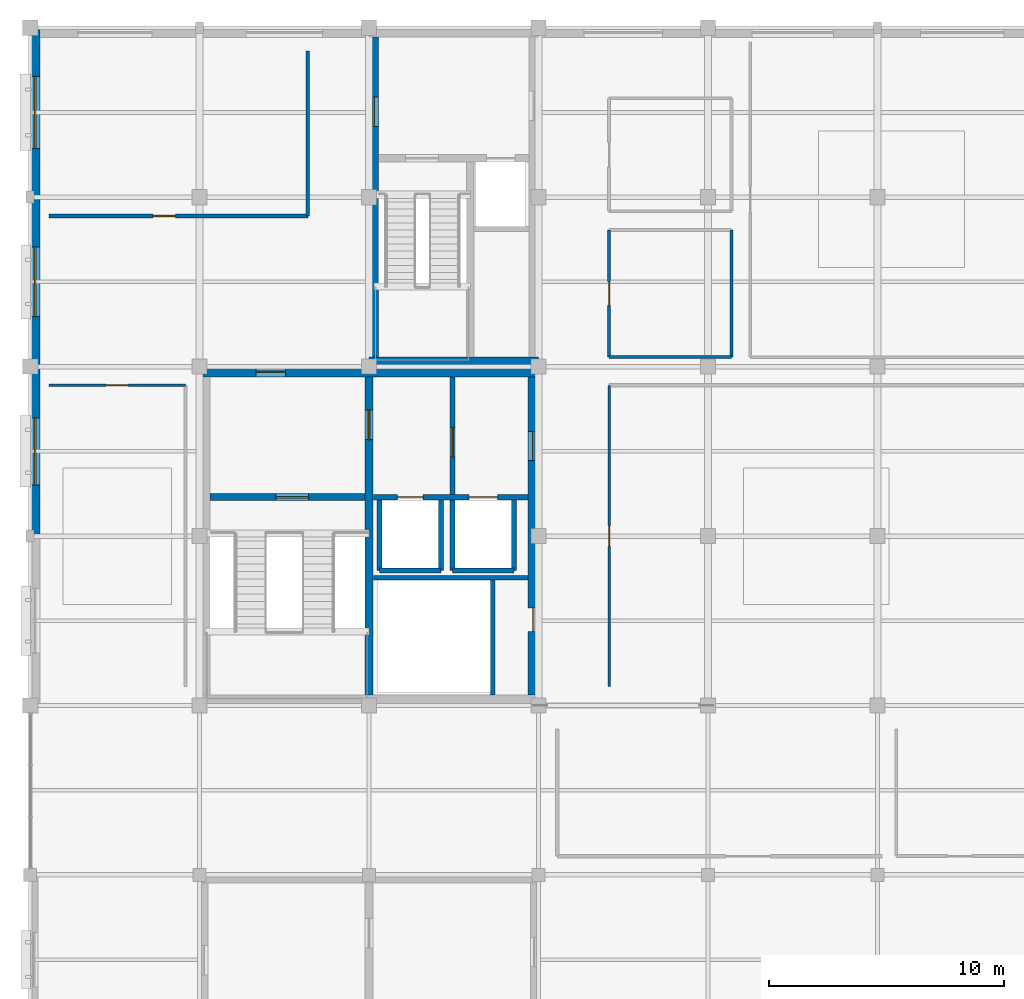
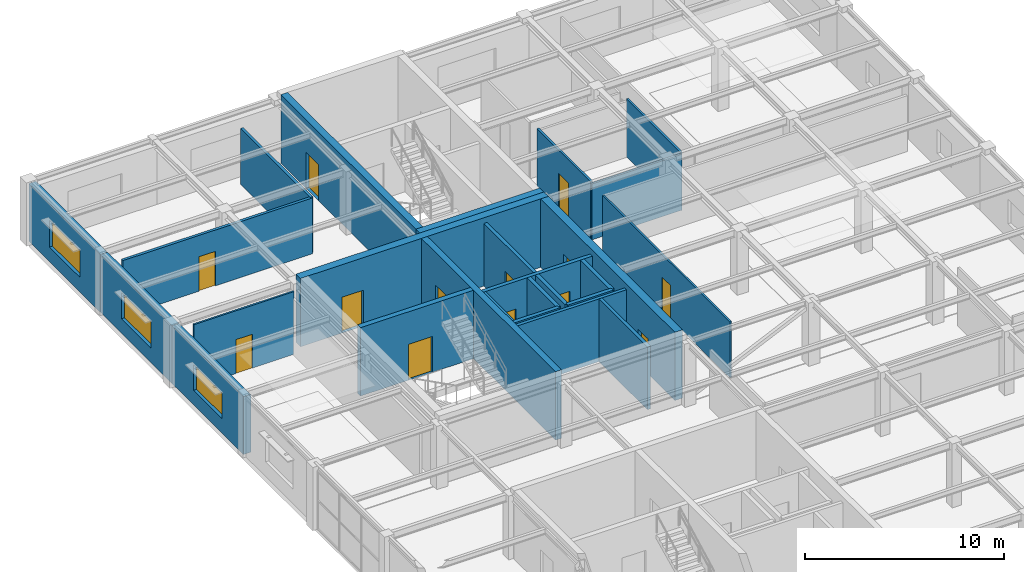
# One storey, part 66 of 83: 26 walls, 13 doors, 3 windows, 16 openings.
"""IFC4 building model written with IfcOpenShell, lengths in metres."""

from ifc_helpers import new_model, si_unit, direction, frame, frame_2d, origin, place, context, subcontext, project, spatial, rectangle, extrude, material, layer, layer_set, type_object, element, fill, save


model = new_model("IFC4")

# Units and contexts
model_context = context("Model", 3, precision=1e-05, world=origin(), true_north=direction((0.0, 1.0)))
body_context = subcontext(model_context, "Body", "Model", "MODEL_VIEW")
ifc_project = project(units=[si_unit("LENGTHUNIT", "METRE"), si_unit("AREAUNIT", "SQUARE_METRE"), si_unit("VOLUMEUNIT", "CUBIC_METRE"), si_unit("PLANEANGLEUNIT", "RADIAN"), si_unit("MASSUNIT", "GRAM", prefix="KILO")], contexts=[model_context])

# Site, building, storey
site_placement = place(None, origin())
site = spatial("IfcSite", under=ifc_project, at=site_placement, CompositionType="ELEMENT")
building_placement = place(site_placement, origin())
building = spatial("IfcBuilding", under=site, at=building_placement, Name="Leyfeld Transit Interchange", CompositionType="ELEMENT")
storey_placement = place(building_placement, frame((0.0, 0.0, 5.39990234375)))
storey = spatial("IfcBuildingStorey", under=building, at=storey_placement, Name="L01", CompositionType="ELEMENT", Elevation=5.39990234375)

# Wall, opening, window
ifc_material_1 = material(Name="Clinker brick masonry - Insulated", Category="masonry")
ifc_layer_1 = layer(ifc_material_1, 0.419921875, Name="Clinker brick masonry - Insulated")
ifc_layer_set_1 = layer_set([ifc_layer_1], Name="Clinker brick masonry - Insulated")
wall_type_1 = type_object("IfcWallType", Name="WL-EXT-BRK-420", PredefinedType="SOLIDWALL", material=ifc_layer_set_1)
wall_1_placement = place(storey_placement, frame((0.2099609375, 100.800048828125, 0.0), z_axis=(0.0, 0.0, 1.0), x_axis=(0.0, 1.0, 0.0)))
wall_1 = element("IfcWall", 1, at=wall_1_placement, inside=storey, type_object=wall_type_1, Name="External Facade Wall EW-L01-043", PredefinedType="SOLIDWALL", context=body_context, shape_type="SweptSolid", body=[
    extrude(rectangle(XDim=7.199951171875, YDim=0.419921875, at=frame_2d((3.60009765625, 0.0))), origin(), (0.0, 0.0, 1.0), 3.550048828125),
])
opening_1_placement = place(wall_1_placement, frame((2.175048828125, 0.0, 0.89990234375)))
opening_1 = element("IfcOpeningElement", 2, at=opening_1_placement, cuts=wall_1, Name="Opening WU-17", PredefinedType="OPENING", context=body_context, shape_type="SweptSolid", body=[
    extrude(rectangle(XDim=2.85009765625, YDim=1.550048828125, at=frame_2d((1.425048828125, 0.77490234375))), frame((0.0, 0.219970703125, 0.0), z_axis=(0.0, -1.0, 0.0), x_axis=(1.0, 0.0, 0.0)), (0.0, 0.0, 1.0), 0.43994140625),
])
ifc_material_2 = material(Name="Triple low-E insulated glazing", Category="glass")
window_type_1 = type_object("IfcWindowType", Name="WIN-UNQ-17", PartitioningType="SINGLE_PANEL", PredefinedType="WINDOW", material=ifc_material_2)
window_1_placement = place(opening_1_placement, origin())
window_1 = element("IfcWindow", 3, at=window_1_placement, inside=storey, type_object=window_type_1, Name="Facade Window L01 017", OverallHeight=1.550048828125, OverallWidth=2.85009765625, PartitioningType="SINGLE_PANEL", PredefinedType="WINDOW", context=body_context, shape_type="SweptSolid", body=[
    extrude(rectangle(XDim=2.85009765625, YDim=1.550048828125, at=frame_2d((1.425048828125, 0.77490234375))), frame((0.0, 0.030029296875, 0.0), z_axis=(0.0, -1.0, 0.0), x_axis=(1.0, 0.0, 0.0)), (0.0, 0.0, 1.0), 0.06005859375),
])
fill(opening_1, window_1)

wall_2_placement = place(storey_placement, frame((0.2099609375, 108.0, 0.0), z_axis=(0.0, 0.0, 1.0), x_axis=(0.0, 1.0, 0.0)))
wall_2 = element("IfcWall", 4, at=wall_2_placement, inside=storey, type_object=wall_type_1, Name="External Facade Wall EW-L01-044", PredefinedType="SOLIDWALL", context=body_context, shape_type="SweptSolid", body=[
    extrude(rectangle(XDim=7.199951171875, YDim=0.419921875, at=frame_2d((3.60009765625, 0.0))), origin(), (0.0, 0.0, 1.0), 3.550048828125),
])
opening_2_placement = place(wall_2_placement, frame((2.125, 0.0, 0.89990234375)))
opening_2 = element("IfcOpeningElement", 5, at=opening_2_placement, cuts=wall_2, Name="Opening WU-18", PredefinedType="OPENING", context=body_context, shape_type="SweptSolid", body=[
    extrude(rectangle(XDim=2.949951171875, YDim=1.60009765625, at=frame_2d((1.47509765625, 0.800048828125))), frame((0.0, 0.219970703125, 0.0), z_axis=(0.0, -1.0, 0.0), x_axis=(1.0, 0.0, 0.0)), (0.0, 0.0, 1.0), 0.43994140625),
])
window_type_2 = type_object("IfcWindowType", Name="WIN-UNQ-18", PartitioningType="SINGLE_PANEL", PredefinedType="WINDOW", material=ifc_material_2)
window_2_placement = place(opening_2_placement, origin())
window_2 = element("IfcWindow", 6, at=window_2_placement, inside=storey, type_object=window_type_2, Name="Facade Window L01 018", OverallHeight=1.60009765625, OverallWidth=2.949951171875, PartitioningType="SINGLE_PANEL", PredefinedType="WINDOW", context=body_context, shape_type="SweptSolid", body=[
    extrude(rectangle(XDim=2.949951171875, YDim=1.60009765625, at=frame_2d((1.47509765625, 0.800048828125))), frame((0.0, 0.030029296875, 0.0), z_axis=(0.0, -1.0, 0.0), x_axis=(1.0, 0.0, 0.0)), (0.0, 0.0, 1.0), 0.06005859375),
])
fill(opening_2, window_2)

wall_3_placement = place(storey_placement, frame((0.2099609375, 115.199951171875, 0.0), z_axis=(0.0, 0.0, 1.0), x_axis=(0.0, 1.0, 0.0)))
wall_3 = element("IfcWall", 7, at=wall_3_placement, inside=storey, type_object=wall_type_1, Name="External Facade Wall EW-L01-045", PredefinedType="SOLIDWALL", context=body_context, shape_type="SweptSolid", body=[
    extrude(rectangle(XDim=7.199951171875, YDim=0.419921875, at=frame_2d((3.60009765625, 0.0))), origin(), (0.0, 0.0, 1.0), 3.550048828125),
])
opening_3_placement = place(wall_3_placement, frame((2.074951171875, 0.0, 0.89990234375)))
opening_3 = element("IfcOpeningElement", 8, at=opening_3_placement, cuts=wall_3, Name="Opening WU-19", PredefinedType="OPENING", context=body_context, shape_type="SweptSolid", body=[
    extrude(rectangle(XDim=3.050048828125, YDim=1.64990234375, at=frame_2d((1.52490234375, 0.824951171875))), frame((0.0, 0.219970703125, 0.0), z_axis=(0.0, -1.0, 0.0), x_axis=(1.0, 0.0, 0.0)), (0.0, 0.0, 1.0), 0.43994140625),
])
window_type_3 = type_object("IfcWindowType", Name="WIN-UNQ-19", PartitioningType="SINGLE_PANEL", PredefinedType="WINDOW", material=ifc_material_2)
window_3_placement = place(opening_3_placement, origin())
window_3 = element("IfcWindow", 9, at=window_3_placement, inside=storey, type_object=window_type_3, Name="Facade Window L01 019", OverallHeight=1.64990234375, OverallWidth=3.050048828125, PartitioningType="SINGLE_PANEL", PredefinedType="WINDOW", context=body_context, shape_type="SweptSolid", body=[
    extrude(rectangle(XDim=3.050048828125, YDim=1.64990234375, at=frame_2d((1.52490234375, 0.824951171875))), frame((0.0, 0.030029296875, 0.0), z_axis=(0.0, -1.0, 0.0), x_axis=(1.0, 0.0, 0.0)), (0.0, 0.0, 1.0), 0.06005859375),
])
fill(opening_3, window_3)

# Wall, opening, door
ifc_material_3 = material(Name="Gypsum plasterboard acoustic stud", Category="gypsum")
ifc_layer_2 = layer(ifc_material_3, 0.159912109375, Name="Gypsum plasterboard acoustic stud")
ifc_layer_set_2 = layer_set([ifc_layer_2], Name="Gypsum plasterboard acoustic stud")
wall_type_2 = type_object("IfcWallType", Name="WL-INT-ACU-160", PredefinedType="PARTITIONING", material=ifc_layer_set_2)
wall_4_placement = place(storey_placement, frame((11.800048828125, 114.39990234375, 0.0), z_axis=(0.0, 0.0, 1.0), x_axis=(-1.0, 0.0, 0.0)))
wall_4 = element("IfcWall", 10, at=wall_4_placement, inside=storey, type_object=wall_type_2, Name="Interior Partition L01-TRN-01 S", PredefinedType="PARTITIONING", context=body_context, shape_type="SweptSolid", body=[
    extrude(rectangle(XDim=11.0, YDim=0.159912109375, at=frame_2d((5.5, 0.0))), origin(), (0.0, 0.0, 1.0), 3.43017578125),
])
opening_4_placement = place(wall_4_placement, frame((5.6201171875, 0.0, 0.0)))
opening_4 = element("IfcOpeningElement", 11, at=opening_4_placement, cuts=wall_4, Name="Opening DU-03", PredefinedType="OPENING", context=body_context, shape_type="SweptSolid", body=[
    extrude(rectangle(XDim=0.9599609375, YDim=2.1201171875, at=frame_2d((0.47998046875, 1.06005859375))), frame((0.0, 0.08984375, 0.0), z_axis=(0.0, -1.0, 0.0), x_axis=(1.0, 0.0, 0.0)), (0.0, 0.0, 1.0), 0.179931640625),
])
ifc_material_4 = material(Name="Austrian larch glulam GL28h", Category="wood")
door_type_1 = type_object("IfcDoorType", Name="DR-UNQ-03", OperationType="NOTDEFINED", PredefinedType="DOOR", material=ifc_material_4)
door_1_placement = place(opening_4_placement, origin())
door_1 = element("IfcDoor", 12, at=door_1_placement, inside=storey, type_object=door_type_1, Name="DR-L01-TRN-01", OperationType="SINGLE_SWING_LEFT", OverallHeight=2.1201171875, OverallWidth=0.9599609375, PredefinedType="DOOR", context=body_context, shape_type="SweptSolid", body=[
    extrude(rectangle(XDim=0.9599609375, YDim=2.1201171875, at=frame_2d((0.47998046875, 1.06005859375))), frame((0.0, 0.02490234375, 0.0), z_axis=(0.0, -1.0, 0.0), x_axis=(1.0, 0.0, 0.0)), (0.0, 0.0, 1.0), 0.050048828125),
])
fill(opening_4, door_1)

# Wall
wall_5_placement = place(storey_placement, frame((11.800048828125, 121.39990234375, 0.0), z_axis=(0.0, 0.0, 1.0), x_axis=(0.0, -1.0, 0.0)))
element("IfcWall", 13, at=wall_5_placement, inside=storey, type_object=wall_type_2, Name="Interior Partition L01-TRN-01 E", PredefinedType="PARTITIONING", context=body_context, shape_type="SweptSolid", body=[
    extrude(rectangle(XDim=7.0, YDim=0.159912109375, at=frame_2d((3.5, 0.0))), origin(), (0.0, 0.0, 1.0), 3.43017578125),
])

# Wall, opening, door
ifc_material_5 = material(Name="Concrete C35/45", Category="concrete")
ifc_layer_3 = layer(ifc_material_5, 0.199951171875, Name="Concrete C35/45")
ifc_layer_set_3 = layer_set([ifc_layer_3], Name="Concrete C35/45")
wall_type_3 = type_object("IfcWallType", Name="WL-INT-FFL-200", PredefinedType="PARTITIONING", material=ifc_layer_set_3)
wall_6_placement = place(storey_placement, frame((17.949951171875, 102.56005859375, 0.0), z_axis=(0.0, 0.0, 1.0), x_axis=(0.0, 1.0, 0.0)))
wall_6 = element("IfcWall", 14, at=wall_6_placement, inside=storey, type_object=wall_type_3, Name="Core K1 Firefighting Lobby Compartment Wall L01", PredefinedType="PARTITIONING", context=body_context, shape_type="SweptSolid", body=[
    extrude(rectangle(XDim=4.989990234375, YDim=0.199951171875, at=frame_2d((2.4951171875, 0.0))), origin(), (0.0, 0.0, 1.0), 3.85009765625),
])
opening_5_placement = place(wall_6_placement, frame((1.60009765625, 0.0, 0.0)))
opening_5 = element("IfcOpeningElement", 15, at=opening_5_placement, cuts=wall_6, Name="Opening DI-02", PredefinedType="OPENING", context=body_context, shape_type="SweptSolid", body=[
    extrude(rectangle(XDim=1.25, YDim=2.199951171875, at=frame_2d((0.625, 1.10009765625))), frame((0.0, 0.10986328125, 0.0), z_axis=(0.0, -1.0, 0.0), x_axis=(1.0, 0.0, 0.0)), (0.0, 0.0, 1.0), 0.219970703125),
])
ifc_material_6 = material(Name="Galvanised steel S275JR", Category="steel")
door_type_2 = type_object("IfcDoorType", Name="DR-FFL-1250x2200", OperationType="NOTDEFINED", PredefinedType="DOOR", material=ifc_material_6)
door_2_placement = place(opening_5_placement, origin())
door_2 = element("IfcDoor", 16, at=door_2_placement, inside=storey, type_object=door_type_2, Name="DR-FFL-CON-K1-L01", OperationType="SINGLE_SWING_RIGHT", OverallHeight=2.199951171875, OverallWidth=1.25, PredefinedType="DOOR", context=body_context, shape_type="SweptSolid", body=[
    extrude(rectangle(XDim=1.25, YDim=2.199951171875, at=frame_2d((0.625, 1.10009765625))), frame((0.0, 0.02490234375, 0.0), z_axis=(0.0, -1.0, 0.0), x_axis=(1.0, 0.0, 0.0)), (0.0, 0.0, 1.0), 0.050048828125),
])
fill(opening_5, door_2)

ifc_material_7 = material(Name="Laminated safety acoustic glazing", Category="glass")
ifc_layer_4 = layer(ifc_material_7, 0.10498046875, Name="Laminated safety acoustic glazing")
ifc_layer_set_4 = layer_set([ifc_layer_4], Name="Laminated safety acoustic glazing")
wall_type_4 = type_object("IfcWallType", Name="WL-INT-GLZ-105", PredefinedType="PARTITIONING", material=ifc_layer_set_4)
wall_7_placement = place(storey_placement, frame((24.60009765625, 94.39990234375, 0.0), z_axis=(0.0, 0.0, 1.0), x_axis=(0.0, 1.0, 0.0)))
wall_7 = element("IfcWall", 17, at=wall_7_placement, inside=storey, type_object=wall_type_4, Name="Interior Partition L01-CRW-01 W", PredefinedType="PARTITIONING", context=body_context, shape_type="SweptSolid", body=[
    extrude(rectangle(XDim=12.800048828125, YDim=0.10498046875, at=frame_2d((6.39990234375, 0.0))), origin(), (0.0, 0.0, 1.0), 3.43017578125),
])
opening_6_placement = place(wall_7_placement, frame((5.9599609375, 0.0, 0.0)))
opening_6 = element("IfcOpeningElement", 18, at=opening_6_placement, cuts=wall_7, Name="Opening DU-01", PredefinedType="OPENING", context=body_context, shape_type="SweptSolid", body=[
    extrude(rectangle(XDim=0.8798828125, YDim=2.050048828125, at=frame_2d((0.43994140625, 1.02490234375))), frame((0.0, 0.0625, 0.0), z_axis=(0.0, -1.0, 0.0), x_axis=(1.0, 0.0, 0.0)), (0.0, 0.0, 1.0), 0.125),
])
door_type_3 = type_object("IfcDoorType", Name="DR-UNQ-01", OperationType="NOTDEFINED", PredefinedType="DOOR", material=ifc_material_4)
door_3_placement = place(opening_6_placement, origin())
door_3 = element("IfcDoor", 19, at=door_3_placement, inside=storey, type_object=door_type_3, Name="DR-L01-CRW-01", OperationType="SINGLE_SWING_LEFT", OverallHeight=2.050048828125, OverallWidth=0.8798828125, PredefinedType="DOOR", context=body_context, shape_type="SweptSolid", body=[
    extrude(rectangle(XDim=0.8798828125, YDim=2.050048828125, at=frame_2d((0.43994140625, 1.02490234375))), frame((0.0, 0.02490234375, 0.0), z_axis=(0.0, -1.0, 0.0), x_axis=(1.0, 0.0, 0.0)), (0.0, 0.0, 1.0), 0.050048828125),
])
fill(opening_6, door_3)

wall_8_placement = place(storey_placement, frame((0.800048828125, 107.199951171875, 0.0), z_axis=(0.0, 0.0, 1.0), x_axis=(1.0, 0.0, 0.0)))
wall_8 = element("IfcWall", 20, at=wall_8_placement, inside=storey, type_object=wall_type_4, Name="Interior Partition L01-RST-01 N", PredefinedType="PARTITIONING", context=body_context, shape_type="SweptSolid", body=[
    extrude(rectangle(XDim=5.800048828125, YDim=0.10498046875, at=frame_2d((2.89990234375, 0.0))), origin(), (0.0, 0.0, 1.0), 3.85009765625),
])
opening_7_placement = place(wall_8_placement, frame((2.429931640625, 0.0, 0.0)))
opening_7 = element("IfcOpeningElement", 21, at=opening_7_placement, cuts=wall_8, Name="Opening DU-02", PredefinedType="OPENING", context=body_context, shape_type="SweptSolid", body=[
    extrude(rectangle(XDim=0.93994140625, YDim=2.080078125, at=frame_2d((0.469970703125, 1.0400390625))), frame((0.0, 0.0625, 0.0), z_axis=(0.0, -1.0, 0.0), x_axis=(1.0, 0.0, 0.0)), (0.0, 0.0, 1.0), 0.125),
])
door_type_4 = type_object("IfcDoorType", Name="DR-UNQ-02", OperationType="NOTDEFINED", PredefinedType="DOOR", material=ifc_material_4)
door_4_placement = place(opening_7_placement, origin())
door_4 = element("IfcDoor", 22, at=door_4_placement, inside=storey, type_object=door_type_4, Name="DR-L01-RST-01", OperationType="SINGLE_SWING_RIGHT", OverallHeight=2.080078125, OverallWidth=0.93994140625, PredefinedType="DOOR", context=body_context, shape_type="SweptSolid", body=[
    extrude(rectangle(XDim=0.93994140625, YDim=2.080078125, at=frame_2d((0.469970703125, 1.0400390625))), frame((0.0, 0.02490234375, 0.0), z_axis=(0.0, -1.0, 0.0), x_axis=(1.0, 0.0, 0.0)), (0.0, 0.0, 1.0), 0.050048828125),
])
fill(opening_7, door_4)

# Walls
ifc_material_8 = material(Name="Calcium silicate masonry", Category="masonry")
ifc_layer_5 = layer(ifc_material_8, 0.18994140625, Name="Calcium silicate masonry")
ifc_layer_set_5 = layer_set([ifc_layer_5], Name="Calcium silicate masonry")
wall_type_5 = type_object("IfcWallType", Name="WL-INT-PLT-190", PredefinedType="PARTITIONING", material=ifc_layer_set_5)
wall_9_placement = place(storey_placement, frame((14.580078125, 99.02001953125, 0.0), z_axis=(0.0, 0.0, 1.0), x_axis=(1.0, 0.0, 0.0)))
element("IfcWall", 23, at=wall_9_placement, inside=storey, type_object=wall_type_5, Name="Core K1 Riser Compartment Wall L01", PredefinedType="PARTITIONING", context=body_context, shape_type="SweptSolid", body=[
    extrude(rectangle(XDim=6.56982421875, YDim=0.18994140625, at=frame_2d((3.284912109375, 0.0))), origin(), (0.0, 0.0, 1.0), 3.85009765625),
])
wall_10_placement = place(storey_placement, frame((19.64990234375, 94.050048828125, 0.0), z_axis=(0.0, 0.0, 1.0), x_axis=(0.0, 1.0, 0.0)))
element("IfcWall", 24, at=wall_10_placement, inside=storey, type_object=wall_type_5, Name="Core K1 Riser Shaft East Wall L01", PredefinedType="PARTITIONING", context=body_context, shape_type="SweptSolid", body=[
    extrude(rectangle(XDim=4.8798828125, YDim=0.18994140625, at=frame_2d((2.43994140625, 0.0))), origin(), (0.0, 0.0, 1.0), 3.85009765625),
])

# Wall, openings, doors
ifc_layer_6 = layer(ifc_material_5, 0.219970703125, Name="Concrete C35/45")
ifc_layer_set_6 = layer_set([ifc_layer_6], Name="Concrete C35/45")
wall_type_6 = type_object("IfcWallType", Name="WL-INT-SHF-220", PredefinedType="PARTITIONING", material=ifc_layer_set_6)
wall_11_placement = place(storey_placement, frame((14.580078125, 102.449951171875, 0.0), z_axis=(0.0, 0.0, 1.0), x_axis=(1.0, 0.0, 0.0)))
wall_11 = element("IfcWall", 25, at=wall_11_placement, inside=storey, type_object=wall_type_6, Name="Core K1 Lift Shaft Front Wall L01", PredefinedType="PARTITIONING", context=body_context, shape_type="SweptSolid", body=[
    extrude(rectangle(XDim=6.56982421875, YDim=0.219970703125, at=frame_2d((3.284912109375, 0.0))), origin(), (0.0, 0.0, 1.0), 3.85009765625),
])
opening_8_placement = place(wall_11_placement, frame((1.02001953125, 0.0, 0.0)))
opening_8 = element("IfcOpeningElement", 26, at=opening_8_placement, cuts=wall_11, Name="Opening LD-01", PredefinedType="OPENING", context=body_context, shape_type="SweptSolid", body=[
    extrude(rectangle(XDim=1.10009765625, YDim=2.14990234375, at=frame_2d((0.550048828125, 1.074951171875))), frame((0.0, 0.119873046875, 0.0), z_axis=(0.0, -1.0, 0.0), x_axis=(1.0, 0.0, 0.0)), (0.0, 0.0, 1.0), 0.239990234375),
])
opening_9_placement = place(wall_11_placement, frame((4.070068359375, 0.0, 0.0)))
opening_9 = element("IfcOpeningElement", 27, at=opening_9_placement, cuts=wall_11, Name="Opening LD-02", PredefinedType="OPENING", context=body_context, shape_type="SweptSolid", body=[
    extrude(rectangle(XDim=1.199951171875, YDim=2.14990234375, at=frame_2d((0.60009765625, 1.074951171875))), frame((0.0, 0.119873046875, 0.0), z_axis=(0.0, -1.0, 0.0), x_axis=(1.0, 0.0, 0.0)), (0.0, 0.0, 1.0), 0.239990234375),
])
ifc_material_9 = material(Name="Stainless steel EN 1.4404", Category="steel")
door_type_5 = type_object("IfcDoorType", Name="DR-LD-FFL-1100x2150", OperationType="NOTDEFINED", PredefinedType="DOOR", material=ifc_material_9)
door_5_placement = place(opening_8_placement, origin())
door_5 = element("IfcDoor", 28, at=door_5_placement, inside=storey, type_object=door_type_5, Name="LD-FFL-1-L01", OperationType="DOUBLE_DOOR_SLIDING", OverallHeight=2.14990234375, OverallWidth=1.10009765625, PredefinedType="DOOR", context=body_context, shape_type="SweptSolid", body=[
    extrude(rectangle(XDim=1.10009765625, YDim=2.14990234375, at=frame_2d((0.550048828125, 1.074951171875))), frame((0.0, 0.02490234375, 0.0), z_axis=(0.0, -1.0, 0.0), x_axis=(1.0, 0.0, 0.0)), (0.0, 0.0, 1.0), 0.050048828125),
])
fill(opening_8, door_5)
door_type_6 = type_object("IfcDoorType", Name="DR-LD-PAS-1200x2150", OperationType="NOTDEFINED", PredefinedType="DOOR", material=ifc_material_9)
door_6_placement = place(opening_9_placement, origin())
door_6 = element("IfcDoor", 29, at=door_6_placement, inside=storey, type_object=door_type_6, Name="LD-PL-1-L01", OperationType="DOUBLE_DOOR_SLIDING", OverallHeight=2.14990234375, OverallWidth=1.199951171875, PredefinedType="DOOR", context=body_context, shape_type="SweptSolid", body=[
    extrude(rectangle(XDim=1.199951171875, YDim=2.14990234375, at=frame_2d((0.60009765625, 1.074951171875))), frame((0.0, 0.02490234375, 0.0), z_axis=(0.0, -1.0, 0.0), x_axis=(1.0, 0.0, 0.0)), (0.0, 0.0, 1.0), 0.050048828125),
])
fill(opening_9, door_6)

# Walls
wall_12_placement = place(storey_placement, frame((14.840087890625, 99.340087890625, 0.0), z_axis=(0.0, 0.0, 1.0), x_axis=(1.0, 0.0, 0.0)))
element("IfcWall", 30, at=wall_12_placement, inside=storey, type_object=wall_type_6, Name="Core K1 Lift FFL-1 Shaft Back Wall L01", PredefinedType="PARTITIONING", context=body_context, shape_type="SweptSolid", body=[
    extrude(rectangle(XDim=2.619873046875, YDim=0.219970703125, at=frame_2d((1.31005859375, 0.0))), origin(), (0.0, 0.0, 1.0), 3.85009765625),
])
for number, where, z_axis, x_axis, name in (
    (31, (14.840087890625, 99.340087890625, 0.0), (0.0, 0.0, 1.0), (0.0, 1.0, 0.0), "Core K1 Lift FFL-1 Shaft Wall W L01"),
    (32, (17.4599609375, 99.340087890625, 0.0), (0.0, 0.0, 1.0), (0.0, 1.0, 0.0), "Core K1 Lift FFL-1 Shaft Wall E L01"),
):
    element("IfcWall", number, at=place(storey_placement, frame(where, z_axis=z_axis, x_axis=x_axis)), inside=storey, type_object=wall_type_6, Name=name, PredefinedType="PARTITIONING", context=body_context, shape_type="SweptSolid", body=[
        extrude(rectangle(XDim=3.0, YDim=0.219970703125, at=frame_2d((1.5, 0.0))), origin(), (0.0, 0.0, 1.0), 3.85009765625),
    ])
wall_13_placement = place(storey_placement, frame((17.93994140625, 99.340087890625, 0.0), z_axis=(0.0, 0.0, 1.0), x_axis=(1.0, 0.0, 0.0)))
element("IfcWall", 33, at=wall_13_placement, inside=storey, type_object=wall_type_6, Name="Core K1 Lift PL-1 Shaft Back Wall L01", PredefinedType="PARTITIONING", context=body_context, shape_type="SweptSolid", body=[
    extrude(rectangle(XDim=2.6201171875, YDim=0.219970703125, at=frame_2d((1.31005859375, 0.0))), origin(), (0.0, 0.0, 1.0), 3.85009765625),
])
for number, where, z_axis, x_axis, name in (
    (34, (17.93994140625, 99.340087890625, 0.0), (0.0, 0.0, 1.0), (0.0, 1.0, 0.0), "Core K1 Lift PL-1 Shaft Wall W L01"),
    (35, (20.56005859375, 99.340087890625, 0.0), (0.0, 0.0, 1.0), (0.0, 1.0, 0.0), "Core K1 Lift PL-1 Shaft Wall E L01"),
):
    element("IfcWall", number, at=place(storey_placement, frame(where, z_axis=z_axis, x_axis=x_axis)), inside=storey, type_object=wall_type_6, Name=name, PredefinedType="PARTITIONING", context=body_context, shape_type="SweptSolid", body=[
        extrude(rectangle(XDim=3.0, YDim=0.219970703125, at=frame_2d((1.5, 0.0))), origin(), (0.0, 0.0, 1.0), 3.85009765625),
    ])
ifc_material_10 = material(Name="Autoclaved aerated blockwork G4", Category="masonry")
ifc_layer_7 = layer(ifc_material_10, 0.125, Name="Autoclaved aerated blockwork G4")
ifc_layer_set_7 = layer_set([ifc_layer_7], Name="Autoclaved aerated blockwork G4")
wall_type_7 = type_object("IfcWallType", Name="WL-INT-WC-125", PredefinedType="PARTITIONING", material=ifc_layer_set_7)
wall_14_placement = place(storey_placement, frame((29.800048828125, 108.39990234375, 0.0), z_axis=(0.0, 0.0, 1.0), x_axis=(-1.0, 0.0, 0.0)))
element("IfcWall", 36, at=wall_14_placement, inside=storey, type_object=wall_type_7, Name="Interior Partition L01-WCM-02 S", PredefinedType="PARTITIONING", context=body_context, shape_type="SweptSolid", body=[
    extrude(rectangle(XDim=5.199951171875, YDim=0.125, at=frame_2d((2.60009765625, 0.0))), origin(), (0.0, 0.0, 1.0), 3.43017578125),
])
wall_15_placement = place(storey_placement, frame((29.800048828125, 113.800048828125, 0.0), z_axis=(0.0, 0.0, 1.0), x_axis=(0.0, -1.0, 0.0)))
element("IfcWall", 37, at=wall_15_placement, inside=storey, type_object=wall_type_7, Name="Interior Partition L01-WCM-02 E", PredefinedType="PARTITIONING", context=body_context, shape_type="SweptSolid", body=[
    extrude(rectangle(XDim=5.400146484375, YDim=0.125, at=frame_2d((2.7001953125, 0.0))), origin(), (0.0, 0.0, 1.0), 3.550048828125),
])

# Wall, opening, door
wall_16_placement = place(storey_placement, frame((24.60009765625, 108.39990234375, 0.0), z_axis=(0.0, 0.0, 1.0), x_axis=(0.0, 1.0, 0.0)))
wall_16 = element("IfcWall", 38, at=wall_16_placement, inside=storey, type_object=wall_type_7, Name="Interior Partition L01-WCM-02 W", PredefinedType="PARTITIONING", context=body_context, shape_type="SweptSolid", body=[
    extrude(rectangle(XDim=5.400146484375, YDim=0.125, at=frame_2d((2.7001953125, 0.0))), origin(), (0.0, 0.0, 1.0), 3.550048828125),
])
opening_10_placement = place(wall_16_placement, frame((2.18994140625, 0.0, 0.0)))
opening_10 = element("IfcOpeningElement", 39, at=opening_10_placement, cuts=wall_16, Name="Opening DU-04", PredefinedType="OPENING", context=body_context, shape_type="SweptSolid", body=[
    extrude(rectangle(XDim=1.02001953125, YDim=2.1201171875, at=frame_2d((0.510009765625, 1.06005859375))), frame((0.0, 0.072509765625, 0.0), z_axis=(0.0, -1.0, 0.0), x_axis=(1.0, 0.0, 0.0)), (0.0, 0.0, 1.0), 0.14501953125),
])
door_type_7 = type_object("IfcDoorType", Name="DR-UNQ-04", OperationType="NOTDEFINED", PredefinedType="DOOR", material=ifc_material_4)
door_7_placement = place(opening_10_placement, origin())
door_7 = element("IfcDoor", 40, at=door_7_placement, inside=storey, type_object=door_type_7, Name="DR-L01-WCM-02", OperationType="SINGLE_SWING_RIGHT", OverallHeight=2.1201171875, OverallWidth=1.02001953125, PredefinedType="DOOR", context=body_context, shape_type="SweptSolid", body=[
    extrude(rectangle(XDim=1.02001953125, YDim=2.1201171875, at=frame_2d((0.510009765625, 1.06005859375))), frame((0.0, 0.02490234375, 0.0), z_axis=(0.0, -1.0, 0.0), x_axis=(1.0, 0.0, 0.0)), (0.0, 0.0, 1.0), 0.050048828125),
])
fill(opening_10, door_7)

ifc_layer_8 = layer(ifc_material_5, 0.300048828125, Name="Concrete C35/45")
ifc_layer_set_8 = layer_set([ifc_layer_8], Name="Concrete C35/45")
wall_type_8 = type_object("IfcWallType", Name="WL-SH-300", PredefinedType="SHEAR", material=ifc_layer_set_8)
wall_17_placement = place(storey_placement, frame((7.64990234375, 102.449951171875, 0.0), z_axis=(0.0, 0.0, 1.0), x_axis=(1.0, 0.0, 0.0)))
wall_17 = element("IfcWall", 41, at=wall_17_placement, inside=storey, type_object=wall_type_8, Name="Core K1 Shear Wall STRN L01", PredefinedType="SHEAR", context=body_context, shape_type="SweptSolid", body=[
    extrude(rectangle(XDim=6.5751953125, YDim=0.300048828125, at=frame_2d((3.28759765625, 0.0))), origin(), (0.0, 0.0, 1.0), 4.2001953125),
])
opening_11_placement = place(wall_17_placement, frame((2.78759765625, 0.0, 0.0)))
opening_11 = element("IfcOpeningElement", 42, at=opening_11_placement, cuts=wall_17, Name="Opening DI-01", PredefinedType="OPENING", context=body_context, shape_type="SweptSolid", body=[
    extrude(rectangle(XDim=1.39990234375, YDim=2.199951171875, at=frame_2d((0.699951171875, 1.10009765625))), frame((0.0, 0.159912109375, 0.0), z_axis=(0.0, -1.0, 0.0), x_axis=(1.0, 0.0, 0.0)), (0.0, 0.0, 1.0), 0.320068359375),
])
door_type_8 = type_object("IfcDoorType", Name="DR-STR-1400x2200", OperationType="NOTDEFINED", PredefinedType="DOOR", material=ifc_material_6)
door_8_placement = place(opening_11_placement, origin())
door_8 = element("IfcDoor", 43, at=door_8_placement, inside=storey, type_object=door_type_8, Name="DR-STR-INT-K1-L01", OperationType="SINGLE_SWING_LEFT", OverallHeight=2.199951171875, OverallWidth=1.39990234375, PredefinedType="DOOR", context=body_context, shape_type="SweptSolid", body=[
    extrude(rectangle(XDim=1.39990234375, YDim=2.199951171875, at=frame_2d((0.699951171875, 1.10009765625))), frame((0.0, 0.02490234375, 0.0), z_axis=(0.0, -1.0, 0.0), x_axis=(1.0, 0.0, 0.0)), (0.0, 0.0, 1.0), 0.050048828125),
])
fill(opening_11, door_8)

ifc_layer_9 = layer(ifc_material_5, 0.35009765625, Name="Concrete C35/45")
ifc_layer_set_9 = layer_set([ifc_layer_9], Name="Concrete C35/45")
wall_type_9 = type_object("IfcWallType", Name="WL-SH-350", PredefinedType="SHEAR", material=ifc_layer_set_9)
wall_18_placement = place(storey_placement, frame((14.39990234375, 107.550048828125, 0.0), z_axis=(0.0, 0.0, 1.0), x_axis=(0.0, -1.0, 0.0)))
wall_18 = element("IfcWall", 44, at=wall_18_placement, inside=storey, type_object=wall_type_9, Name="Core K1 Shear Wall MID L01", PredefinedType="SHEAR", context=body_context, shape_type="SweptSolid", body=[
    extrude(rectangle(XDim=13.5, YDim=0.35009765625, at=frame_2d((6.75, 0.0))), origin(), (0.0, 0.0, 1.0), 4.2001953125),
])
opening_12_placement = place(wall_18_placement, frame((1.39990234375, 0.0, 0.0)))
opening_12 = element("IfcOpeningElement", 45, at=opening_12_placement, cuts=wall_18, Name="Opening DI-02", PredefinedType="OPENING", context=body_context, shape_type="SweptSolid", body=[
    extrude(rectangle(XDim=1.25, YDim=2.199951171875, at=frame_2d((0.625, 1.10009765625))), frame((0.0, 0.18505859375, 0.0), z_axis=(0.0, -1.0, 0.0), x_axis=(1.0, 0.0, 0.0)), (0.0, 0.0, 1.0), 0.3701171875),
])
door_9_placement = place(opening_12_placement, origin())
door_9 = element("IfcDoor", 46, at=door_9_placement, inside=storey, type_object=door_type_2, Name="DR-CORE-MID-K1-L01", OperationType="SINGLE_SWING_RIGHT", OverallHeight=2.199951171875, OverallWidth=1.25, PredefinedType="DOOR", context=body_context, shape_type="SweptSolid", body=[
    extrude(rectangle(XDim=1.25, YDim=2.199951171875, at=frame_2d((0.625, 1.10009765625))), frame((0.0, 0.02490234375, 0.0), z_axis=(0.0, -1.0, 0.0), x_axis=(1.0, 0.0, 0.0)), (0.0, 0.0, 1.0), 0.050048828125),
])
fill(opening_12, door_9)

# Wall
ifc_layer_10 = layer(ifc_material_5, 0.39990234375, Name="Concrete C35/45")
ifc_layer_set_10 = layer_set([ifc_layer_10], Name="Concrete C35/45")
wall_type_10 = type_object("IfcWallType", Name="WL-SH-400", PredefinedType="SHEAR", material=ifc_layer_set_10)
wall_19_placement = place(storey_placement, frame((21.60009765625, 108.199951171875, 0.0), z_axis=(0.0, 0.0, 1.0), x_axis=(-1.0, 0.0, 0.0)))
element("IfcWall", 47, at=wall_19_placement, inside=storey, type_object=wall_type_10, Name="Core K2 Shear Wall S L01", PredefinedType="SHEAR", context=body_context, shape_type="SweptSolid", body=[
    extrude(rectangle(XDim=7.2001953125, YDim=0.39990234375, at=frame_2d((3.60009765625, 0.0))), origin(), (0.0, 0.0, 1.0), 4.2001953125),
])

# Wall, opening, door
wall_20_placement = place(storey_placement, frame((14.60009765625, 108.39990234375, 0.0), z_axis=(0.0, 0.0, 1.0), x_axis=(0.0, 1.0, 0.0)))
wall_20 = element("IfcWall", 48, at=wall_20_placement, inside=storey, type_object=wall_type_10, Name="Core K2 Shear Wall W L01", PredefinedType="SHEAR", context=body_context, shape_type="SweptSolid", body=[
    extrude(rectangle(XDim=13.60009765625, YDim=0.39990234375, at=frame_2d((6.800048828125, 0.0))), origin(), (0.0, 0.0, 1.0), 4.2001953125),
])
opening_13_placement = place(wall_20_placement, frame((9.800048828125, 0.0, 0.0)))
opening_13 = element("IfcOpeningElement", 49, at=opening_13_placement, cuts=wall_20, Name="Opening DI-02", PredefinedType="OPENING", context=body_context, shape_type="SweptSolid", body=[
    extrude(rectangle(XDim=1.25, YDim=2.199951171875, at=frame_2d((0.625, 1.10009765625))), frame((0.0, 0.2099609375, 0.0), z_axis=(0.0, -1.0, 0.0), x_axis=(1.0, 0.0, 0.0)), (0.0, 0.0, 1.0), 0.419921875),
])
door_10_placement = place(opening_13_placement, origin())
door_10 = element("IfcDoor", 50, at=door_10_placement, inside=storey, type_object=door_type_2, Name="DR-CORE-OUT-K2-L01-W", OperationType="SINGLE_SWING_LEFT", OverallHeight=2.199951171875, OverallWidth=1.25, PredefinedType="DOOR", context=body_context, shape_type="SweptSolid", body=[
    extrude(rectangle(XDim=1.25, YDim=2.199951171875, at=frame_2d((0.625, 1.10009765625))), frame((0.0, 0.02490234375, 0.0), z_axis=(0.0, -1.0, 0.0), x_axis=(1.0, 0.0, 0.0)), (0.0, 0.0, 1.0), 0.050048828125),
])
fill(opening_13, door_10)

ifc_layer_11 = layer(ifc_material_5, 0.449951171875, Name="Concrete C35/45")
ifc_layer_set_11 = layer_set([ifc_layer_11], Name="Concrete C35/45")
wall_type_11 = type_object("IfcWallType", Name="WL-SH-450", PredefinedType="SHEAR", material=ifc_layer_set_11)
wall_21_placement = place(storey_placement, frame((7.199951171875, 107.77490234375, 0.0), z_axis=(0.0, 0.0, 1.0), x_axis=(1.0, 0.0, 0.0)))
wall_21 = element("IfcWall", 51, at=wall_21_placement, inside=storey, type_object=wall_type_11, Name="Core K1 Shear Wall N L01", PredefinedType="SHEAR", context=body_context, shape_type="SweptSolid", body=[
    extrude(rectangle(XDim=14.400146484375, YDim=0.449951171875, at=frame_2d((7.2001953125, 0.0))), origin(), (0.0, 0.0, 1.0), 4.2001953125),
])
opening_14_placement = place(wall_21_placement, frame((2.39990234375, 0.0, 0.0)))
opening_14 = element("IfcOpeningElement", 52, at=opening_14_placement, cuts=wall_21, Name="Opening DI-02", PredefinedType="OPENING", context=body_context, shape_type="SweptSolid", body=[
    extrude(rectangle(XDim=1.25, YDim=2.199951171875, at=frame_2d((0.625, 1.10009765625))), frame((0.0, 0.23486328125, 0.0), z_axis=(0.0, -1.0, 0.0), x_axis=(1.0, 0.0, 0.0)), (0.0, 0.0, 1.0), 0.469970703125),
])
door_11_placement = place(opening_14_placement, origin())
door_11 = element("IfcDoor", 53, at=door_11_placement, inside=storey, type_object=door_type_2, Name="DR-CORE-OUT-K1-L01-N", OperationType="SINGLE_SWING_LEFT", OverallHeight=2.199951171875, OverallWidth=1.25, PredefinedType="DOOR", context=body_context, shape_type="SweptSolid", body=[
    extrude(rectangle(XDim=1.25, YDim=2.199951171875, at=frame_2d((0.625, 1.10009765625))), frame((0.0, 0.02490234375, 0.0), z_axis=(0.0, -1.0, 0.0), x_axis=(1.0, 0.0, 0.0)), (0.0, 0.0, 1.0), 0.050048828125),
])
fill(opening_14, door_11)

# Wall, openings, doors
wall_22_placement = place(storey_placement, frame((21.375, 107.550048828125, 0.0), z_axis=(0.0, 0.0, 1.0), x_axis=(0.0, -1.0, 0.0)))
wall_22 = element("IfcWall", 54, at=wall_22_placement, inside=storey, type_object=wall_type_11, Name="Core K1 Shear Wall E L01", PredefinedType="SHEAR", context=body_context, shape_type="SweptSolid", body=[
    extrude(rectangle(XDim=13.5, YDim=0.449951171875, at=frame_2d((6.75, 0.0))), origin(), (0.0, 0.0, 1.0), 4.2001953125),
])
opening_15_placement = place(wall_22_placement, frame((9.800048828125, 0.0, 0.0)))
opening_15 = element("IfcOpeningElement", 55, at=opening_15_placement, cuts=wall_22, Name="Opening DI-05", PredefinedType="OPENING", context=body_context, shape_type="SweptSolid", body=[
    extrude(rectangle(XDim=1.0, YDim=2.14990234375, at=frame_2d((0.5, 1.074951171875))), frame((0.0, 0.23486328125, 0.0), z_axis=(0.0, -1.0, 0.0), x_axis=(1.0, 0.0, 0.0)), (0.0, 0.0, 1.0), 0.469970703125),
])
opening_16_placement = place(wall_22_placement, frame((2.300048828125, 0.0, 0.0)))
opening_16 = element("IfcOpeningElement", 56, at=opening_16_placement, cuts=wall_22, Name="Opening DI-02", PredefinedType="OPENING", context=body_context, shape_type="SweptSolid", body=[
    extrude(rectangle(XDim=1.25, YDim=2.199951171875, at=frame_2d((0.625, 1.10009765625))), frame((0.0, 0.23486328125, 0.0), z_axis=(0.0, -1.0, 0.0), x_axis=(1.0, 0.0, 0.0)), (0.0, 0.0, 1.0), 0.469970703125),
])
door_12_placement = place(opening_16_placement, origin())
door_12 = element("IfcDoor", 57, at=door_12_placement, inside=storey, type_object=door_type_2, Name="DR-CORE-OUT-K1-L01-E", OperationType="SINGLE_SWING_RIGHT", OverallHeight=2.199951171875, OverallWidth=1.25, PredefinedType="DOOR", context=body_context, shape_type="SweptSolid", body=[
    extrude(rectangle(XDim=1.25, YDim=2.199951171875, at=frame_2d((0.625, 1.10009765625))), frame((0.0, 0.02490234375, 0.0), z_axis=(0.0, -1.0, 0.0), x_axis=(1.0, 0.0, 0.0)), (0.0, 0.0, 1.0), 0.050048828125),
])
fill(opening_16, door_12)
door_type_9 = type_object("IfcDoorType", Name="DR-OFF-1000x2150", OperationType="NOTDEFINED", PredefinedType="DOOR", material=ifc_material_4)
door_13_placement = place(opening_15_placement, origin())
door_13 = element("IfcDoor", 58, at=door_13_placement, inside=storey, type_object=door_type_9, Name="DR-RSR-K1-L01", OperationType="SINGLE_SWING_LEFT", OverallHeight=2.14990234375, OverallWidth=1.0, PredefinedType="DOOR", context=body_context, shape_type="SweptSolid", body=[
    extrude(rectangle(XDim=1.0, YDim=2.14990234375, at=frame_2d((0.5, 1.074951171875))), frame((0.0, 0.02490234375, 0.0), z_axis=(0.0, -1.0, 0.0), x_axis=(1.0, 0.0, 0.0)), (0.0, 0.0, 1.0), 0.050048828125),
])
fill(opening_15, door_13)

save(model, "model.ifc")
